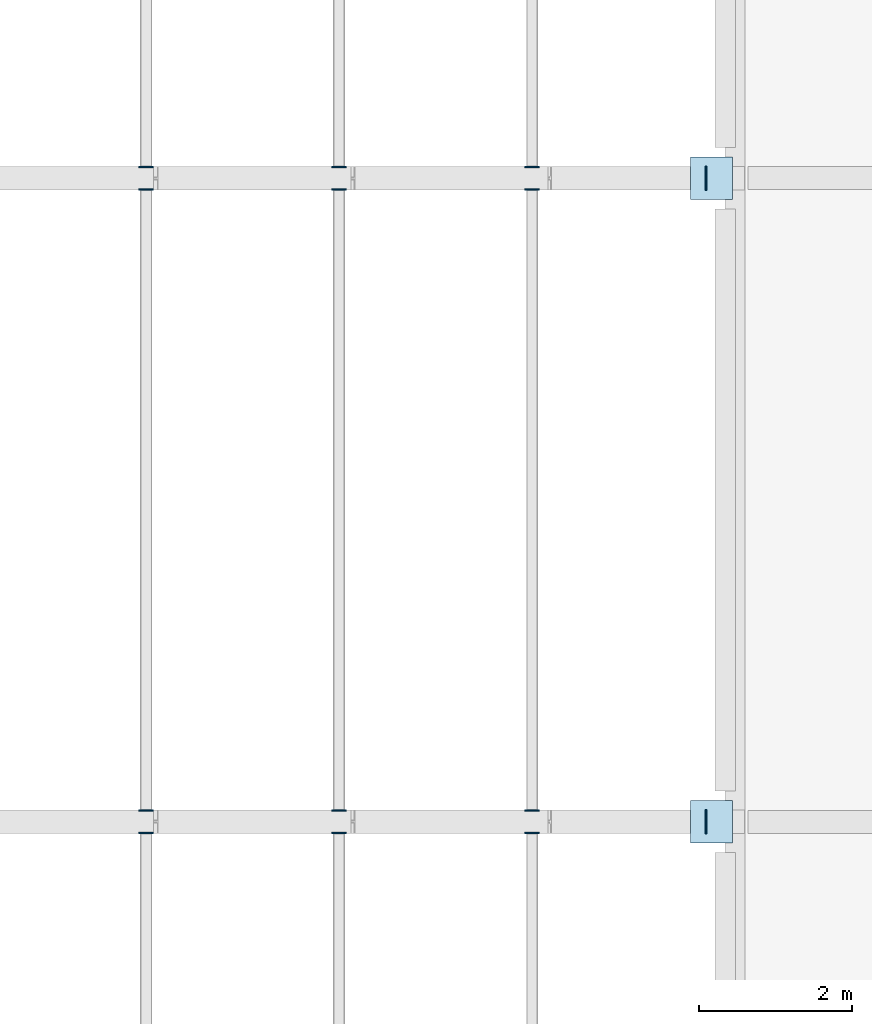
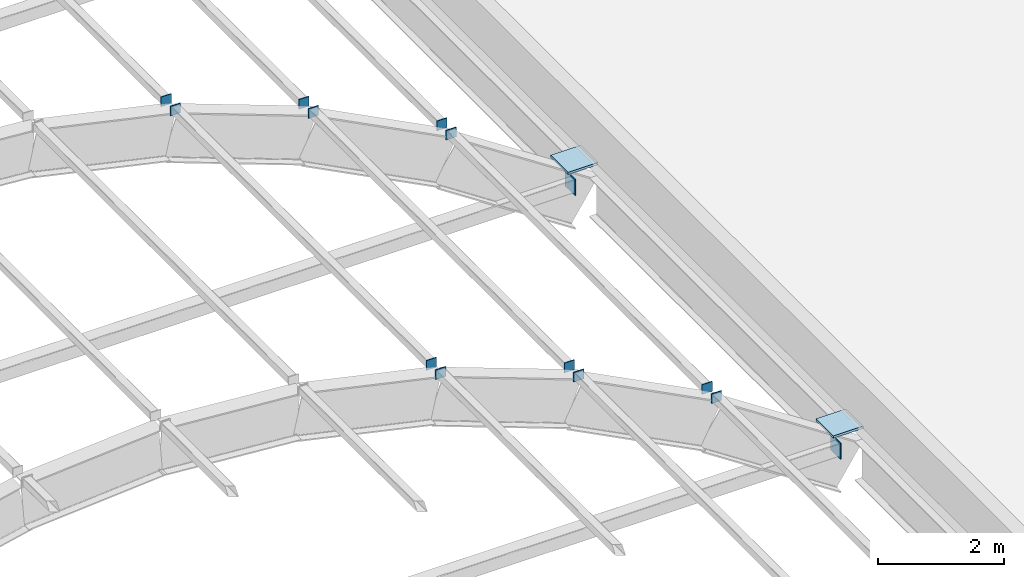
# One storey, part 107 of 130: 16 plates.
"""IFC4 building model written with IfcOpenShell, lengths in metres."""

import ifcopenshell
import ifcopenshell.guid

model = None  # the IFC model being written
_history = None  # IfcOwnerHistory: only IFC2X3 demands one
_inside = {}  # id of a spatial element -> (the spatial element, [elements in it])
_under = {}  # id of a project, library or spatial element -> (it, [spatial elements below it])
_declared = {}  # id of a project -> (the project, [libraries it declares])
_typed = {}  # id of a type object -> (the type object, [elements of that type])
_made_of = {}  # id of a material, layer set ... -> (it, [elements and type objects made of it])


def new_model(schema):
    """Start an empty IFC model of exactly this schema.

    Asked for "IFC4X3", IfcOpenShell would pick the latest addendum, in which some entities
    have other attributes; the version numbers below select the first issue.
    IFC2X3 requires an IfcOwnerHistory on every rooted entity: one is made here for all.
    """
    global model, _history
    if schema == "IFC4X3":
        model = ifcopenshell.file(schema_version=(4, 3, 0, 0))
    else:
        model = ifcopenshell.file(schema=schema)
    _inside.clear()
    _under.clear()
    _declared.clear()
    _typed.clear()
    _made_of.clear()
    _history = None
    if model.schema == "IFC2X3":
        org = make("IfcOrganization", Name="unknown")
        user = make(
            "IfcPersonAndOrganization",
            ThePerson=make("IfcPerson", FamilyName="unknown"),
            TheOrganization=org,
        )
        app = make(
            "IfcApplication",
            ApplicationDeveloper=org,
            Version="unknown",
            ApplicationFullName="unknown",
            ApplicationIdentifier="unknown",
        )
        _history = make(
            "IfcOwnerHistory",
            OwningUser=user,
            OwningApplication=app,
            ChangeAction="ADDED",
            CreationDate=0,
        )
    return model


def make(cls, **values):
    """One entity of the class cls with the attributes given. An attribute that is None is left unset."""
    return model.create_entity(
        cls, **{name: value for name, value in values.items() if value is not None}
    )


def rooted(cls, **values):
    """An entity with a GlobalId (a new one), such as an element, a storey or a relation."""
    return make(cls, GlobalId=ifcopenshell.guid.new(), OwnerHistory=_history, **values)


def si_unit(unit_type, name, prefix=None):
    """IfcSIUnit, for example si_unit("LENGTHUNIT", "METRE", prefix="MILLI")."""
    return make("IfcSIUnit", UnitType=unit_type, Prefix=prefix, Name=name)


def assignment(units):
    """IfcUnitAssignment: the units of a project."""
    return None if units is None else make("IfcUnitAssignment", Units=units)


def point(xyz):
    """IfcCartesianPoint."""
    return None if xyz is None else make("IfcCartesianPoint", Coordinates=xyz)


def direction(xyz):
    """IfcDirection."""
    return None if xyz is None else make("IfcDirection", DirectionRatios=xyz)


def frame(location, z_axis=None, x_axis=None):
    """IfcAxis2Placement3D, a coordinate frame: its origin and axes. An axis left out is left unset."""
    return make(
        "IfcAxis2Placement3D",
        Location=point(location),
        Axis=direction(z_axis),
        RefDirection=direction(x_axis),
    )


def frame_2d(location, x_axis=None):
    """IfcAxis2Placement2D, a coordinate frame in the plane: its origin and x axis."""
    return make(
        "IfcAxis2Placement2D", Location=point(location), RefDirection=direction(x_axis)
    )


def origin():
    """The frame at (0, 0, 0) with its axes left unset."""
    return frame((0.0, 0.0, 0.0))


def origin_2d():
    """The frame at (0, 0) in the plane with its x axis left unset."""
    return frame_2d((0.0, 0.0))


def place(relative_to, where):
    """IfcLocalPlacement: puts the frame where relative to a parent placement (None: the world)."""
    return make(
        "IfcLocalPlacement", PlacementRelTo=relative_to, RelativePlacement=where
    )


def context(
    kind, dimensions, precision=None, world=None, true_north=None, identifier=None
):
    """IfcGeometricRepresentationContext, for example the 3D "Model" context."""
    return make(
        "IfcGeometricRepresentationContext",
        ContextIdentifier=identifier,
        ContextType=kind,
        CoordinateSpaceDimension=dimensions,
        Precision=precision,
        WorldCoordinateSystem=world,
        TrueNorth=true_north,
    )


def subcontext(parent, identifier, kind, view, scale=None):
    """IfcGeometricRepresentationSubContext, for example "Body" below "Model"."""
    return make(
        "IfcGeometricRepresentationSubContext",
        ContextIdentifier=identifier,
        ContextType=kind,
        ParentContext=parent,
        TargetScale=scale,
        TargetView=view,
    )


def project(units=None, contexts=None):
    """IfcProject with its units and contexts."""
    return rooted(
        "IfcProject",
        Name="project",
        RepresentationContexts=contexts,
        UnitsInContext=assignment(units),
    )


def spatial(cls, under=None, at=None, **own):
    """A site, building, storey or space (cls), placed at a placement, below another one or the project."""
    s = rooted(cls, ObjectPlacement=at, **own)
    if under is not None:
        _under.setdefault(under.id(), (under, []))[1].append(s)
    return s


def profile(cls, at=None, kind="AREA", **sizes):
    """A parametric profile (cls). Its sizes go by their IFC names, for example OverallWidth=200.0."""
    return make(cls, ProfileType=kind, Position=at, **sizes)


def rectangle(**sizes):
    """IfcRectangleProfileDef."""
    return profile("IfcRectangleProfileDef", **sizes)


def extrude(swept, where, along, depth):
    """IfcExtrudedAreaSolid: the profile swept, set in the frame where, extruded along a direction by depth."""
    return make(
        "IfcExtrudedAreaSolid",
        SweptArea=swept,
        Position=where,
        ExtrudedDirection=direction(along),
        Depth=depth,
    )


def shape(context_of_items, identifier, shape_type, items):
    """IfcShapeRepresentation: the items that make up one representation, for example the "Body"."""
    return make(
        "IfcShapeRepresentation",
        ContextOfItems=context_of_items,
        RepresentationIdentifier=identifier,
        RepresentationType=shape_type,
        Items=items,
    )


def material(Name=None, Category=None):
    """IfcMaterial."""
    return make("IfcMaterial", Name=Name, Category=Category)


def layer(
    of_material, thickness, ventilated=None, Name=None, Category=None, Priority=None
):
    """IfcMaterialLayer: one layer of a wall or slab, of a material (None: an air gap)."""
    return make(
        "IfcMaterialLayer",
        Material=of_material,
        LayerThickness=thickness,
        IsVentilated=ventilated,
        Name=Name,
        Category=Category,
        Priority=Priority,
    )


def layer_set(layers, Name=None):
    """IfcMaterialLayerSet."""
    return make("IfcMaterialLayerSet", MaterialLayers=layers, LayerSetName=Name)


def made_of(thing, what):
    """Note that an element or type object is made of a material, layer set ...; save() writes the relation."""
    if what is not None:
        _made_of.setdefault(what.id(), (what, []))[1].append(thing)
    return thing


def type_object(cls, material=None, **own):
    """A type object (cls), such as IfcWallType, which elements share."""
    return made_of(rooted(cls, **own), material)


def element(
    cls,
    number,
    at=None,
    inside=None,
    cuts=None,
    type_object=None,
    material=None,
    context=None,
    identifier="Body",
    shape_type=None,
    held_by="IfcProductDefinitionShape",
    body=None,
    shapes=None,
    **own,
):
    """One element of the class cls, such as IfcWall. Its Tag is "e" and its number.

    at: its placement. inside: the storey or other place that contains it. cuts: it is an
    opening in that element (IfcRelVoidsElement). A single representation is given by context,
    identifier, shape_type and body (its items); several are given by shapes. held_by: the class
    of the entity that holds the representations. save() writes the other relations.
    """
    e = rooted(cls, Tag="e%d" % number, ObjectPlacement=at, **own)
    if body is not None:
        shapes = [shape(context, identifier, shape_type, body)]
    if shapes is not None:
        e.Representation = make(held_by, Representations=shapes)
    if inside is not None:
        _inside.setdefault(inside.id(), (inside, []))[1].append(e)
    if cuts is not None:
        rooted(
            "IfcRelVoidsElement", RelatingBuildingElement=cuts, RelatedOpeningElement=e
        )
    if type_object is not None:
        _typed.setdefault(type_object.id(), (type_object, []))[1].append(e)
    return made_of(e, material)


def aggregate(whole, parts):
    """IfcRelAggregates: a whole, such as a stair, and the parts it consists of."""
    return rooted("IfcRelAggregates", RelatingObject=whole, RelatedObjects=parts)


def save(model, path):
    """Write the relations noted so far, then the file.

    IfcRelAggregates (storeys below a building ...), IfcRelContainedInSpatialStructure (elements
    in a storey), IfcRelDefinesByType, IfcRelAssociatesMaterial and IfcRelDeclares: one each for
    every whole, place, type object, material and project.
    """
    for whole, parts in _under.values():
        aggregate(whole, parts)
    for where, things in _inside.values():
        rooted(
            "IfcRelContainedInSpatialStructure",
            RelatedElements=things,
            RelatingStructure=where,
        )
    for kind, things in _typed.values():
        rooted("IfcRelDefinesByType", RelatedObjects=things, RelatingType=kind)
    for what, things in _made_of.values():
        rooted("IfcRelAssociatesMaterial", RelatedObjects=things, RelatingMaterial=what)
    for by, libraries in _declared.values():
        rooted("IfcRelDeclares", RelatingContext=by, RelatedDefinitions=libraries)
    model.write(path)


model = new_model("IFC4")

# Units and contexts
model_context = context("Model", 3, precision=1e-05, world=origin(), true_north=direction((0.0, 1.0)))
body_context = subcontext(model_context, "Body", "Model", "MODEL_VIEW")
ifc_project = project(units=[si_unit("LENGTHUNIT", "METRE"), si_unit("AREAUNIT", "SQUARE_METRE"), si_unit("VOLUMEUNIT", "CUBIC_METRE"), si_unit("PLANEANGLEUNIT", "RADIAN"), si_unit("MASSUNIT", "GRAM", prefix="KILO")], contexts=[model_context])

# Site, building, storey
site_placement = place(None, origin())
site = spatial("IfcSite", under=ifc_project, at=site_placement, CompositionType="ELEMENT")
building_placement = place(site_placement, origin())
building = spatial("IfcBuilding", under=site, at=building_placement, Name="Vireocrest Preparatory School", CompositionType="ELEMENT")
storey_placement = place(building_placement, frame((0.0, 0.0, 9.0)))
storey = spatial("IfcBuildingStorey", under=building, at=storey_placement, Name="L02", CompositionType="ELEMENT", Elevation=9.0)

# Plates
ifc_material = material(Name="Structural steel ASTM A572 Grade 50", Category="steel")
ifc_layer_1 = layer(ifc_material, 0.0458984375)
ifc_layer_set_1 = layer_set([ifc_layer_1], Name="Structural steel ASTM A572 Grade 50")
plate_type_1 = type_object("IfcPlateType", Name="Barrel-Vault Springing Gusset Shoe Plate 46", PredefinedType="SHEET", material=ifc_layer_set_1)
for number, where, z_axis, x_axis, name in (
    (1, (25.02001953125, 27.0, -0.123046875), (0.0, 0.0, 1.0), (1.0, 0.0, 0.0), "Node AS1 Vault Springing Shoe VAULT_SPORTS-3E"),
    (2, (25.02001953125, 35.39990234375, -0.123046875), (0.0, 0.0, 1.0), (1.0, 0.0, 0.0), "Node AS1 Vault Springing Shoe VAULT_SPORTS-4E"),
):
    element("IfcPlate", number, at=place(storey_placement, frame(where, z_axis=z_axis, x_axis=x_axis)), inside=storey, type_object=plate_type_1, Name=name, PredefinedType="SHEET", context=body_context, shape_type="SweptSolid", body=[
        extrude(rectangle(XDim=0.550048828125, YDim=0.550048828125, at=origin_2d()), origin(), (0.0, 0.0, 1.0), 0.0458984375),
    ])
ifc_layer_2 = layer(ifc_material, 0.02001953125)
ifc_layer_set_2 = layer_set([ifc_layer_2], Name="Structural steel ASTM A572 Grade 50")
plate_type_2 = type_object("IfcPlateType", Name="Hollow Section Steel End Cap Plate 20", PredefinedType="SHEET", material=ifc_layer_set_2)
for number, where, z_axis, x_axis, name in (
    (3, (24.949951171875, 27.0, -0.671142578125), (0.0, 0.0, 1.0), (1.0, 0.0, 0.0), "End Cap Plate CP1 VAULT_SPORTS Tie 3E"),
    (4, (24.949951171875, 35.39990234375, -0.671142578125), (0.0, 0.0, 1.0), (1.0, 0.0, 0.0), "End Cap Plate CP1 VAULT_SPORTS Tie 4E"),
):
    element("IfcPlate", number, at=place(storey_placement, frame(where, z_axis=z_axis, x_axis=x_axis)), inside=storey, type_object=plate_type_2, Name=name, PredefinedType="SHEET", context=body_context, shape_type="SweptSolid", body=[
        extrude(rectangle(XDim=0.02001953125, YDim=0.31396484375, at=origin_2d()), origin(), (0.0, 0.0, 1.0), 0.31396484375),
    ])
ifc_layer_3 = layer(ifc_material, 0.01611328125)
ifc_layer_set_3 = layer_set([ifc_layer_3], Name="Structural steel ASTM A572 Grade 50")
plate_type_3 = type_object("IfcPlateType", Name="Sports Vault Purlin Steel End Cap Plate 16", PredefinedType="SHEET", material=ifc_layer_set_3)
for number, where, z_axis, x_axis, name in (
    (5, (17.639892578125, 26.8525390625, 3.4580078125), (0.0, 0.0, 1.0), (1.0, 0.0, 0.0), "Purlin End Cap CP2 VAULT_SPORTS B2-N-8"),
    (6, (20.159912109375, 26.8525390625, 2.52685546875), (0.0, 0.0, 1.0), (1.0, 0.0, 0.0), "Purlin End Cap CP2 VAULT_SPORTS B2-N-9"),
    (7, (22.679931640625, 26.8525390625, 1.227783203125), (0.0, 0.0, 1.0), (1.0, 0.0, 0.0), "Purlin End Cap CP2 VAULT_SPORTS B2-N-10"),
    (8, (17.639892578125, 27.1474609375, 3.4580078125), (0.0, 0.0, 1.0), (1.0, 0.0, 0.0), "Purlin End Cap CP2 VAULT_SPORTS B3-S-8"),
    (9, (17.639892578125, 35.25244140625, 3.4580078125), (0.0, 0.0, 1.0), (1.0, 0.0, 0.0), "Purlin End Cap CP2 VAULT_SPORTS B3-N-8"),
    (10, (20.159912109375, 27.1474609375, 2.52685546875), (0.0, 0.0, 1.0), (1.0, 0.0, 0.0), "Purlin End Cap CP2 VAULT_SPORTS B3-S-9"),
    (11, (20.159912109375, 35.25244140625, 2.52685546875), (0.0, 0.0, 1.0), (1.0, 0.0, 0.0), "Purlin End Cap CP2 VAULT_SPORTS B3-N-9"),
    (12, (22.679931640625, 27.1474609375, 1.227783203125), (0.0, 0.0, 1.0), (1.0, 0.0, 0.0), "Purlin End Cap CP2 VAULT_SPORTS B3-S-10"),
    (13, (22.679931640625, 35.25244140625, 1.227783203125), (0.0, 0.0, 1.0), (1.0, 0.0, 0.0), "Purlin End Cap CP2 VAULT_SPORTS B3-N-10"),
    (14, (17.639892578125, 35.547607421875, 3.4580078125), (0.0, 0.0, 1.0), (1.0, 0.0, 0.0), "Purlin End Cap CP2 VAULT_SPORTS B4-S-8"),
    (15, (20.159912109375, 35.547607421875, 2.52685546875), (0.0, 0.0, 1.0), (1.0, 0.0, 0.0), "Purlin End Cap CP2 VAULT_SPORTS B4-S-9"),
    (16, (22.679931640625, 35.547607421875, 1.227783203125), (0.0, 0.0, 1.0), (1.0, 0.0, 0.0), "Purlin End Cap CP2 VAULT_SPORTS B4-S-10"),
):
    element("IfcPlate", number, at=place(storey_placement, frame(where, z_axis=z_axis, x_axis=x_axis)), inside=storey, type_object=plate_type_3, Name=name, PredefinedType="SHEET", context=body_context, shape_type="SweptSolid", body=[
        extrude(rectangle(XDim=0.18798828125, YDim=0.01611328125, at=origin_2d()), origin(), (0.0, 0.0, 1.0), 0.18798828125),
    ])

save(model, "model.ifc")
